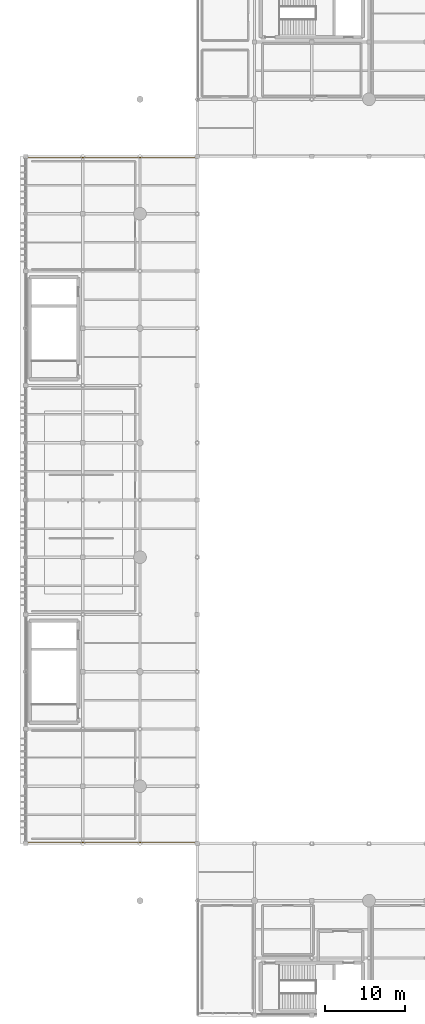
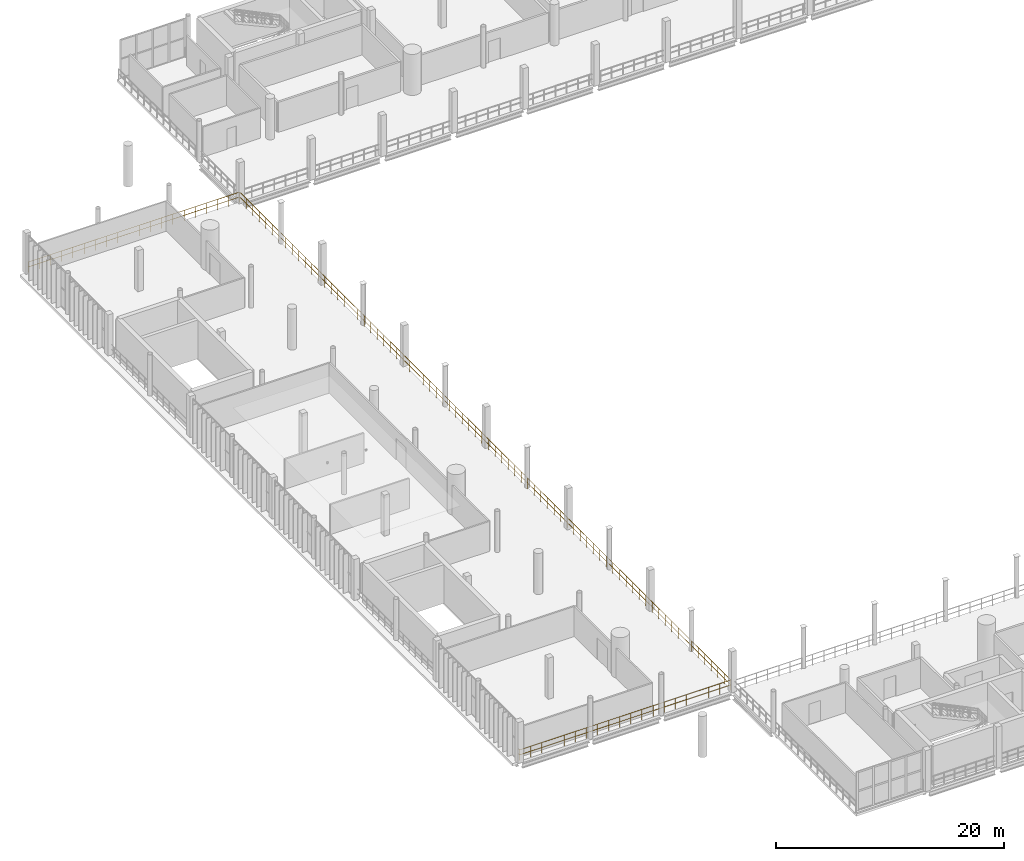
# One storey, part 74 of 81: 1 railing.
"""IFC4 building model written with IfcOpenShell, lengths in metres."""

from ifc_helpers import new_model, si_unit, direction, frame, origin, origin_2d, place, context, subcontext, project, spatial, circle, extrude, material, type_object, element, save


model = new_model("IFC4")

# Units and contexts
model_context = context("Model", 3, precision=1e-05, world=origin(), true_north=direction((0.0, 1.0)))
body_context = subcontext(model_context, "Body", "Model", "MODEL_VIEW")
ifc_project = project(units=[si_unit("LENGTHUNIT", "METRE"), si_unit("AREAUNIT", "SQUARE_METRE"), si_unit("VOLUMEUNIT", "CUBIC_METRE"), si_unit("PLANEANGLEUNIT", "RADIAN"), si_unit("MASSUNIT", "GRAM", prefix="KILO")], contexts=[model_context])

# Site, building, storey
site_placement = place(None, origin())
site = spatial("IfcSite", under=ifc_project, at=site_placement, CompositionType="ELEMENT")
building_placement = place(site_placement, origin())
building = spatial("IfcBuilding", under=site, at=building_placement, Name="Qandorah Velis Arena", CompositionType="ELEMENT")
storey_placement = place(building_placement, frame((0.0, 0.0, 18.60009765625)))
storey = spatial("IfcBuildingStorey", under=building, at=storey_placement, Name="L04", CompositionType="ELEMENT", Elevation=18.60009765625)

# Railing
ifc_material = material(Name="Stainless steel 316", Category="steel")
railing_type = type_object("IfcRailingType", Name="ARC-RL-GRD1150", PredefinedType="GUARDRAIL", material=ifc_material)
railing_placement = place(storey_placement, frame((0.10009765625, 107.89990234375, 0.0)))
element("IfcRailing", 1, at=railing_placement, inside=storey, type_object=railing_type, Name="Slab edge safety guardrail L04-238", PredefinedType="GUARDRAIL", context=body_context, shape_type="SweptSolid", body=[
    extrude(circle(Radius=0.02392578125, at=origin_2d()), frame((0.0, 0.0, 1.1259765625), z_axis=(1.0, 0.0, 0.0), x_axis=(0.0, 1.0, 0.0)), (0.0, 0.0, 1.0), 21.39990234375),
    extrude(circle(Radius=0.02392578125, at=origin_2d()), frame((0.0, 0.0, 0.597900390625), z_axis=(1.0, 0.0, 0.0), x_axis=(0.0, 1.0, 0.0)), (0.0, 0.0, 1.0), 21.39990234375),
    extrude(circle(Radius=0.02392578125, at=origin_2d()), frame((21.39990234375, 0.0, 1.1259765625), z_axis=(0.0, -1.0, 0.0), x_axis=(1.0, 0.0, 0.0)), (0.0, 0.0, 1.0), 86.199951171875),
    extrude(circle(Radius=0.02392578125, at=origin_2d()), frame((21.39990234375, 0.0, 0.597900390625), z_axis=(0.0, -1.0, 0.0), x_axis=(1.0, 0.0, 0.0)), (0.0, 0.0, 1.0), 86.199951171875),
    extrude(circle(Radius=0.02392578125, at=origin_2d()), frame((21.39990234375, -86.199951171875, 1.1259765625), z_axis=(-1.0, 0.0, 0.0), x_axis=(0.0, -1.0, 0.0)), (0.0, 0.0, 1.0), 21.39990234375),
    extrude(circle(Radius=0.02392578125, at=origin_2d()), frame((21.39990234375, -86.199951171875, 0.597900390625), z_axis=(-1.0, 0.0, 0.0), x_axis=(0.0, -1.0, 0.0)), (0.0, 0.0, 1.0), 21.39990234375),
    extrude(circle(Radius=0.02392578125, at=origin_2d()), frame((0.0, -86.199951171875, 1.1259765625), z_axis=(0.0, 1.0, 0.0), x_axis=(-1.0, 0.0, 0.0)), (0.0, 0.0, 1.0), 0.199951171875),
    extrude(circle(Radius=0.02392578125, at=origin_2d()), frame((0.0, -86.199951171875, 0.597900390625), z_axis=(0.0, 1.0, 0.0), x_axis=(-1.0, 0.0, 0.0)), (0.0, 0.0, 1.0), 0.199951171875),
    extrude(circle(Radius=0.02099609375, at=origin_2d()), origin(), (0.0, 0.0, 1.0), 1.101806640625),
    extrude(circle(Radius=0.02099609375, at=origin_2d()), frame((1.126220703125, 0.0, 0.0)), (0.0, 0.0, 1.0), 1.101806640625),
    extrude(circle(Radius=0.02099609375, at=origin_2d()), frame((2.252685546875, 0.0, 0.0)), (0.0, 0.0, 1.0), 1.101806640625),
    extrude(circle(Radius=0.02099609375, at=origin_2d()), frame((3.37890625, 0.0, 0.0)), (0.0, 0.0, 1.0), 1.101806640625),
    extrude(circle(Radius=0.02099609375, at=origin_2d()), frame((4.505126953125, 0.0, 0.0)), (0.0, 0.0, 1.0), 1.101806640625),
    extrude(circle(Radius=0.02099609375, at=origin_2d()), frame((5.631591796875, 0.0, 0.0)), (0.0, 0.0, 1.0), 1.101806640625),
    extrude(circle(Radius=0.02099609375, at=origin_2d()), frame((6.7578125, 0.0, 0.0)), (0.0, 0.0, 1.0), 1.101806640625),
    extrude(circle(Radius=0.02099609375, at=origin_2d()), frame((7.88427734375, 0.0, 0.0)), (0.0, 0.0, 1.0), 1.101806640625),
    extrude(circle(Radius=0.02099609375, at=origin_2d()), frame((9.010498046875, 0.0, 0.0)), (0.0, 0.0, 1.0), 1.101806640625),
    extrude(circle(Radius=0.02099609375, at=origin_2d()), frame((10.13671875, 0.0, 0.0)), (0.0, 0.0, 1.0), 1.101806640625),
    extrude(circle(Radius=0.02099609375, at=origin_2d()), frame((11.26318359375, 0.0, 0.0)), (0.0, 0.0, 1.0), 1.101806640625),
    extrude(circle(Radius=0.02099609375, at=origin_2d()), frame((12.389404296875, 0.0, 0.0)), (0.0, 0.0, 1.0), 1.101806640625),
    extrude(circle(Radius=0.02099609375, at=origin_2d()), frame((13.515625, 0.0, 0.0)), (0.0, 0.0, 1.0), 1.101806640625),
    extrude(circle(Radius=0.02099609375, at=origin_2d()), frame((14.64208984375, 0.0, 0.0)), (0.0, 0.0, 1.0), 1.101806640625),
    extrude(circle(Radius=0.02099609375, at=origin_2d()), frame((15.768310546875, 0.0, 0.0)), (0.0, 0.0, 1.0), 1.101806640625),
    extrude(circle(Radius=0.02099609375, at=origin_2d()), frame((16.894775390625, 0.0, 0.0)), (0.0, 0.0, 1.0), 1.101806640625),
    extrude(circle(Radius=0.02099609375, at=origin_2d()), frame((18.02099609375, 0.0, 0.0)), (0.0, 0.0, 1.0), 1.101806640625),
    extrude(circle(Radius=0.02099609375, at=origin_2d()), frame((19.147216796875, 0.0, 0.0)), (0.0, 0.0, 1.0), 1.101806640625),
    extrude(circle(Radius=0.02099609375, at=origin_2d()), frame((20.273681640625, 0.0, 0.0)), (0.0, 0.0, 1.0), 1.101806640625),
    extrude(circle(Radius=0.02099609375, at=origin_2d()), frame((21.39990234375, 0.0, 0.0)), (0.0, 0.0, 1.0), 1.101806640625),
    extrude(circle(Radius=0.02099609375, at=origin_2d()), frame((21.39990234375, -1.1494140625, 0.0)), (0.0, 0.0, 1.0), 1.101806640625),
    extrude(circle(Radius=0.02099609375, at=origin_2d()), frame((21.39990234375, -2.298583984375, 0.0)), (0.0, 0.0, 1.0), 1.101806640625),
    extrude(circle(Radius=0.02099609375, at=origin_2d()), frame((21.39990234375, -3.447998046875, 0.0)), (0.0, 0.0, 1.0), 1.101806640625),
    extrude(circle(Radius=0.02099609375, at=origin_2d()), frame((21.39990234375, -4.597412109375, 0.0)), (0.0, 0.0, 1.0), 1.101806640625),
    extrude(circle(Radius=0.02099609375, at=origin_2d()), frame((21.39990234375, -5.74658203125, 0.0)), (0.0, 0.0, 1.0), 1.101806640625),
    extrude(circle(Radius=0.02099609375, at=origin_2d()), frame((21.39990234375, -6.89599609375, 0.0)), (0.0, 0.0, 1.0), 1.101806640625),
    extrude(circle(Radius=0.02099609375, at=origin_2d()), frame((21.39990234375, -8.04541015625, 0.0)), (0.0, 0.0, 1.0), 1.101806640625),
    extrude(circle(Radius=0.02099609375, at=origin_2d()), frame((21.39990234375, -9.194580078125, 0.0)), (0.0, 0.0, 1.0), 1.101806640625),
    extrude(circle(Radius=0.02099609375, at=origin_2d()), frame((21.39990234375, -10.343994140625, 0.0)), (0.0, 0.0, 1.0), 1.101806640625),
    extrude(circle(Radius=0.02099609375, at=origin_2d()), frame((21.39990234375, -11.493408203125, 0.0)), (0.0, 0.0, 1.0), 1.101806640625),
    extrude(circle(Radius=0.02099609375, at=origin_2d()), frame((21.39990234375, -12.642578125, 0.0)), (0.0, 0.0, 1.0), 1.101806640625),
    extrude(circle(Radius=0.02099609375, at=origin_2d()), frame((21.39990234375, -13.7919921875, 0.0)), (0.0, 0.0, 1.0), 1.101806640625),
    extrude(circle(Radius=0.02099609375, at=origin_2d()), frame((21.39990234375, -14.94140625, 0.0)), (0.0, 0.0, 1.0), 1.101806640625),
    extrude(circle(Radius=0.02099609375, at=origin_2d()), frame((21.39990234375, -16.090576171875, 0.0)), (0.0, 0.0, 1.0), 1.101806640625),
    extrude(circle(Radius=0.02099609375, at=origin_2d()), frame((21.39990234375, -17.239990234375, 0.0)), (0.0, 0.0, 1.0), 1.101806640625),
    extrude(circle(Radius=0.02099609375, at=origin_2d()), frame((21.39990234375, -18.389404296875, 0.0)), (0.0, 0.0, 1.0), 1.101806640625),
    extrude(circle(Radius=0.02099609375, at=origin_2d()), frame((21.39990234375, -19.53857421875, 0.0)), (0.0, 0.0, 1.0), 1.101806640625),
    extrude(circle(Radius=0.02099609375, at=origin_2d()), frame((21.39990234375, -20.68798828125, 0.0)), (0.0, 0.0, 1.0), 1.101806640625),
    extrude(circle(Radius=0.02099609375, at=origin_2d()), frame((21.39990234375, -21.83740234375, 0.0)), (0.0, 0.0, 1.0), 1.101806640625),
    extrude(circle(Radius=0.02099609375, at=origin_2d()), frame((21.39990234375, -22.986572265625, 0.0)), (0.0, 0.0, 1.0), 1.101806640625),
    extrude(circle(Radius=0.02099609375, at=origin_2d()), frame((21.39990234375, -24.135986328125, 0.0)), (0.0, 0.0, 1.0), 1.101806640625),
    extrude(circle(Radius=0.02099609375, at=origin_2d()), frame((21.39990234375, -25.285400390625, 0.0)), (0.0, 0.0, 1.0), 1.101806640625),
    extrude(circle(Radius=0.02099609375, at=origin_2d()), frame((21.39990234375, -26.4345703125, 0.0)), (0.0, 0.0, 1.0), 1.101806640625),
    extrude(circle(Radius=0.02099609375, at=origin_2d()), frame((21.39990234375, -27.583984375, 0.0)), (0.0, 0.0, 1.0), 1.101806640625),
    extrude(circle(Radius=0.02099609375, at=origin_2d()), frame((21.39990234375, -28.7333984375, 0.0)), (0.0, 0.0, 1.0), 1.101806640625),
    extrude(circle(Radius=0.02099609375, at=origin_2d()), frame((21.39990234375, -29.882568359375, 0.0)), (0.0, 0.0, 1.0), 1.101806640625),
    extrude(circle(Radius=0.02099609375, at=origin_2d()), frame((21.39990234375, -31.031982421875, 0.0)), (0.0, 0.0, 1.0), 1.101806640625),
    extrude(circle(Radius=0.02099609375, at=origin_2d()), frame((21.39990234375, -32.181396484375, 0.0)), (0.0, 0.0, 1.0), 1.101806640625),
    extrude(circle(Radius=0.02099609375, at=origin_2d()), frame((21.39990234375, -33.33056640625, 0.0)), (0.0, 0.0, 1.0), 1.101806640625),
    extrude(circle(Radius=0.02099609375, at=origin_2d()), frame((21.39990234375, -34.47998046875, 0.0)), (0.0, 0.0, 1.0), 1.101806640625),
    extrude(circle(Radius=0.02099609375, at=origin_2d()), frame((21.39990234375, -35.62939453125, 0.0)), (0.0, 0.0, 1.0), 1.101806640625),
    extrude(circle(Radius=0.02099609375, at=origin_2d()), frame((21.39990234375, -36.778564453125, 0.0)), (0.0, 0.0, 1.0), 1.101806640625),
    extrude(circle(Radius=0.02099609375, at=origin_2d()), frame((21.39990234375, -37.927978515625, 0.0)), (0.0, 0.0, 1.0), 1.101806640625),
    extrude(circle(Radius=0.02099609375, at=origin_2d()), frame((21.39990234375, -39.077392578125, 0.0)), (0.0, 0.0, 1.0), 1.101806640625),
    extrude(circle(Radius=0.02099609375, at=origin_2d()), frame((21.39990234375, -40.2265625, 0.0)), (0.0, 0.0, 1.0), 1.101806640625),
    extrude(circle(Radius=0.02099609375, at=origin_2d()), frame((21.39990234375, -41.3759765625, 0.0)), (0.0, 0.0, 1.0), 1.101806640625),
    extrude(circle(Radius=0.02099609375, at=origin_2d()), frame((21.39990234375, -42.525390625, 0.0)), (0.0, 0.0, 1.0), 1.101806640625),
    extrude(circle(Radius=0.02099609375, at=origin_2d()), frame((21.39990234375, -43.674560546875, 0.0)), (0.0, 0.0, 1.0), 1.101806640625),
    extrude(circle(Radius=0.02099609375, at=origin_2d()), frame((21.39990234375, -44.823974609375, 0.0)), (0.0, 0.0, 1.0), 1.101806640625),
    extrude(circle(Radius=0.02099609375, at=origin_2d()), frame((21.39990234375, -45.973388671875, 0.0)), (0.0, 0.0, 1.0), 1.101806640625),
    extrude(circle(Radius=0.02099609375, at=origin_2d()), frame((21.39990234375, -47.12255859375, 0.0)), (0.0, 0.0, 1.0), 1.101806640625),
    extrude(circle(Radius=0.02099609375, at=origin_2d()), frame((21.39990234375, -48.27197265625, 0.0)), (0.0, 0.0, 1.0), 1.101806640625),
    extrude(circle(Radius=0.02099609375, at=origin_2d()), frame((21.39990234375, -49.42138671875, 0.0)), (0.0, 0.0, 1.0), 1.101806640625),
    extrude(circle(Radius=0.02099609375, at=origin_2d()), frame((21.39990234375, -50.570556640625, 0.0)), (0.0, 0.0, 1.0), 1.101806640625),
    extrude(circle(Radius=0.02099609375, at=origin_2d()), frame((21.39990234375, -51.719970703125, 0.0)), (0.0, 0.0, 1.0), 1.101806640625),
    extrude(circle(Radius=0.02099609375, at=origin_2d()), frame((21.39990234375, -52.869384765625, 0.0)), (0.0, 0.0, 1.0), 1.101806640625),
    extrude(circle(Radius=0.02099609375, at=origin_2d()), frame((21.39990234375, -54.0185546875, 0.0)), (0.0, 0.0, 1.0), 1.101806640625),
    extrude(circle(Radius=0.02099609375, at=origin_2d()), frame((21.39990234375, -55.16796875, 0.0)), (0.0, 0.0, 1.0), 1.101806640625),
    extrude(circle(Radius=0.02099609375, at=origin_2d()), frame((21.39990234375, -56.3173828125, 0.0)), (0.0, 0.0, 1.0), 1.101806640625),
    extrude(circle(Radius=0.02099609375, at=origin_2d()), frame((21.39990234375, -57.466552734375, 0.0)), (0.0, 0.0, 1.0), 1.101806640625),
    extrude(circle(Radius=0.02099609375, at=origin_2d()), frame((21.39990234375, -58.615966796875, 0.0)), (0.0, 0.0, 1.0), 1.101806640625),
    extrude(circle(Radius=0.02099609375, at=origin_2d()), frame((21.39990234375, -59.765380859375, 0.0)), (0.0, 0.0, 1.0), 1.101806640625),
    extrude(circle(Radius=0.02099609375, at=origin_2d()), frame((21.39990234375, -60.91455078125, 0.0)), (0.0, 0.0, 1.0), 1.101806640625),
    extrude(circle(Radius=0.02099609375, at=origin_2d()), frame((21.39990234375, -62.06396484375, 0.0)), (0.0, 0.0, 1.0), 1.101806640625),
    extrude(circle(Radius=0.02099609375, at=origin_2d()), frame((21.39990234375, -63.21337890625, 0.0)), (0.0, 0.0, 1.0), 1.101806640625),
    extrude(circle(Radius=0.02099609375, at=origin_2d()), frame((21.39990234375, -64.362548828125, 0.0)), (0.0, 0.0, 1.0), 1.101806640625),
    extrude(circle(Radius=0.02099609375, at=origin_2d()), frame((21.39990234375, -65.511962890625, 0.0)), (0.0, 0.0, 1.0), 1.101806640625),
    extrude(circle(Radius=0.02099609375, at=origin_2d()), frame((21.39990234375, -66.661376953125, 0.0)), (0.0, 0.0, 1.0), 1.101806640625),
    extrude(circle(Radius=0.02099609375, at=origin_2d()), frame((21.39990234375, -67.810546875, 0.0)), (0.0, 0.0, 1.0), 1.101806640625),
    extrude(circle(Radius=0.02099609375, at=origin_2d()), frame((21.39990234375, -68.9599609375, 0.0)), (0.0, 0.0, 1.0), 1.101806640625),
    extrude(circle(Radius=0.02099609375, at=origin_2d()), frame((21.39990234375, -70.109375, 0.0)), (0.0, 0.0, 1.0), 1.101806640625),
    extrude(circle(Radius=0.02099609375, at=origin_2d()), frame((21.39990234375, -71.258544921875, 0.0)), (0.0, 0.0, 1.0), 1.101806640625),
    extrude(circle(Radius=0.02099609375, at=origin_2d()), frame((21.39990234375, -72.407958984375, 0.0)), (0.0, 0.0, 1.0), 1.101806640625),
    extrude(circle(Radius=0.02099609375, at=origin_2d()), frame((21.39990234375, -73.557373046875, 0.0)), (0.0, 0.0, 1.0), 1.101806640625),
    extrude(circle(Radius=0.02099609375, at=origin_2d()), frame((21.39990234375, -74.70654296875, 0.0)), (0.0, 0.0, 1.0), 1.101806640625),
    extrude(circle(Radius=0.02099609375, at=origin_2d()), frame((21.39990234375, -75.85595703125, 0.0)), (0.0, 0.0, 1.0), 1.101806640625),
    extrude(circle(Radius=0.02099609375, at=origin_2d()), frame((21.39990234375, -77.00537109375, 0.0)), (0.0, 0.0, 1.0), 1.101806640625),
    extrude(circle(Radius=0.02099609375, at=origin_2d()), frame((21.39990234375, -78.154541015625, 0.0)), (0.0, 0.0, 1.0), 1.101806640625),
    extrude(circle(Radius=0.02099609375, at=origin_2d()), frame((21.39990234375, -79.303955078125, 0.0)), (0.0, 0.0, 1.0), 1.101806640625),
    extrude(circle(Radius=0.02099609375, at=origin_2d()), frame((21.39990234375, -80.453369140625, 0.0)), (0.0, 0.0, 1.0), 1.101806640625),
    extrude(circle(Radius=0.02099609375, at=origin_2d()), frame((21.39990234375, -81.6025390625, 0.0)), (0.0, 0.0, 1.0), 1.101806640625),
    extrude(circle(Radius=0.02099609375, at=origin_2d()), frame((21.39990234375, -82.751953125, 0.0)), (0.0, 0.0, 1.0), 1.101806640625),
    extrude(circle(Radius=0.02099609375, at=origin_2d()), frame((21.39990234375, -83.9013671875, 0.0)), (0.0, 0.0, 1.0), 1.101806640625),
    extrude(circle(Radius=0.02099609375, at=origin_2d()), frame((21.39990234375, -85.050537109375, 0.0)), (0.0, 0.0, 1.0), 1.101806640625),
    extrude(circle(Radius=0.02099609375, at=origin_2d()), frame((21.39990234375, -86.199951171875, 0.0)), (0.0, 0.0, 1.0), 1.101806640625),
    extrude(circle(Radius=0.02099609375, at=origin_2d()), frame((20.273681640625, -86.199951171875, 0.0)), (0.0, 0.0, 1.0), 1.101806640625),
    extrude(circle(Radius=0.02099609375, at=origin_2d()), frame((19.147216796875, -86.199951171875, 0.0)), (0.0, 0.0, 1.0), 1.101806640625),
    extrude(circle(Radius=0.02099609375, at=origin_2d()), frame((18.02099609375, -86.199951171875, 0.0)), (0.0, 0.0, 1.0), 1.101806640625),
    extrude(circle(Radius=0.02099609375, at=origin_2d()), frame((16.894775390625, -86.199951171875, 0.0)), (0.0, 0.0, 1.0), 1.101806640625),
    extrude(circle(Radius=0.02099609375, at=origin_2d()), frame((15.768310546875, -86.199951171875, 0.0)), (0.0, 0.0, 1.0), 1.101806640625),
    extrude(circle(Radius=0.02099609375, at=origin_2d()), frame((14.64208984375, -86.199951171875, 0.0)), (0.0, 0.0, 1.0), 1.101806640625),
    extrude(circle(Radius=0.02099609375, at=origin_2d()), frame((13.515625, -86.199951171875, 0.0)), (0.0, 0.0, 1.0), 1.101806640625),
    extrude(circle(Radius=0.02099609375, at=origin_2d()), frame((12.389404296875, -86.199951171875, 0.0)), (0.0, 0.0, 1.0), 1.101806640625),
    extrude(circle(Radius=0.02099609375, at=origin_2d()), frame((11.26318359375, -86.199951171875, 0.0)), (0.0, 0.0, 1.0), 1.101806640625),
    extrude(circle(Radius=0.02099609375, at=origin_2d()), frame((10.13671875, -86.199951171875, 0.0)), (0.0, 0.0, 1.0), 1.101806640625),
    extrude(circle(Radius=0.02099609375, at=origin_2d()), frame((9.010498046875, -86.199951171875, 0.0)), (0.0, 0.0, 1.0), 1.101806640625),
    extrude(circle(Radius=0.02099609375, at=origin_2d()), frame((7.88427734375, -86.199951171875, 0.0)), (0.0, 0.0, 1.0), 1.101806640625),
    extrude(circle(Radius=0.02099609375, at=origin_2d()), frame((6.7578125, -86.199951171875, 0.0)), (0.0, 0.0, 1.0), 1.101806640625),
    extrude(circle(Radius=0.02099609375, at=origin_2d()), frame((5.631591796875, -86.199951171875, 0.0)), (0.0, 0.0, 1.0), 1.101806640625),
    extrude(circle(Radius=0.02099609375, at=origin_2d()), frame((4.505126953125, -86.199951171875, 0.0)), (0.0, 0.0, 1.0), 1.101806640625),
    extrude(circle(Radius=0.02099609375, at=origin_2d()), frame((3.37890625, -86.199951171875, 0.0)), (0.0, 0.0, 1.0), 1.101806640625),
    extrude(circle(Radius=0.02099609375, at=origin_2d()), frame((2.252685546875, -86.199951171875, 0.0)), (0.0, 0.0, 1.0), 1.101806640625),
    extrude(circle(Radius=0.02099609375, at=origin_2d()), frame((1.126220703125, -86.199951171875, 0.0)), (0.0, 0.0, 1.0), 1.101806640625),
    extrude(circle(Radius=0.02099609375, at=origin_2d()), frame((0.0, -86.199951171875, 0.0)), (0.0, 0.0, 1.0), 1.101806640625),
    extrude(circle(Radius=0.02099609375, at=origin_2d()), frame((0.0, -86.0, 0.0)), (0.0, 0.0, 1.0), 1.101806640625),
])

save(model, "model.ifc")
